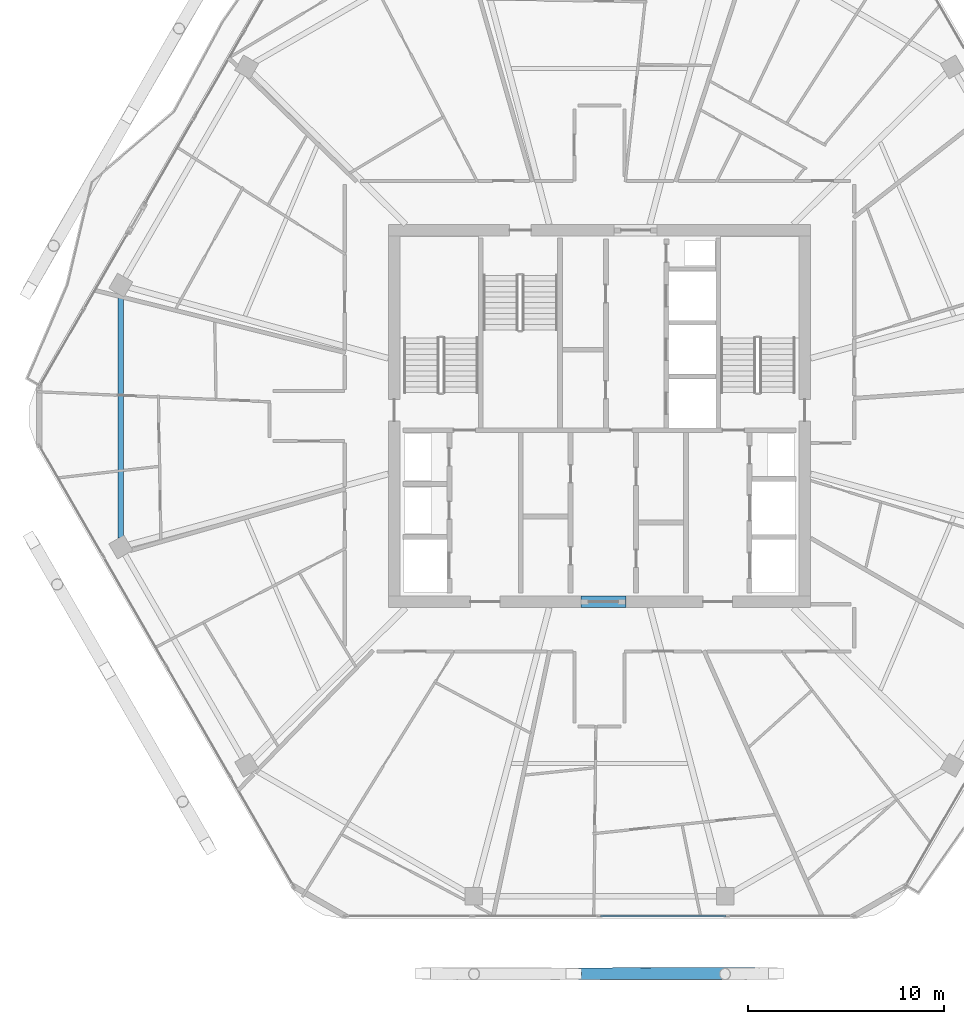
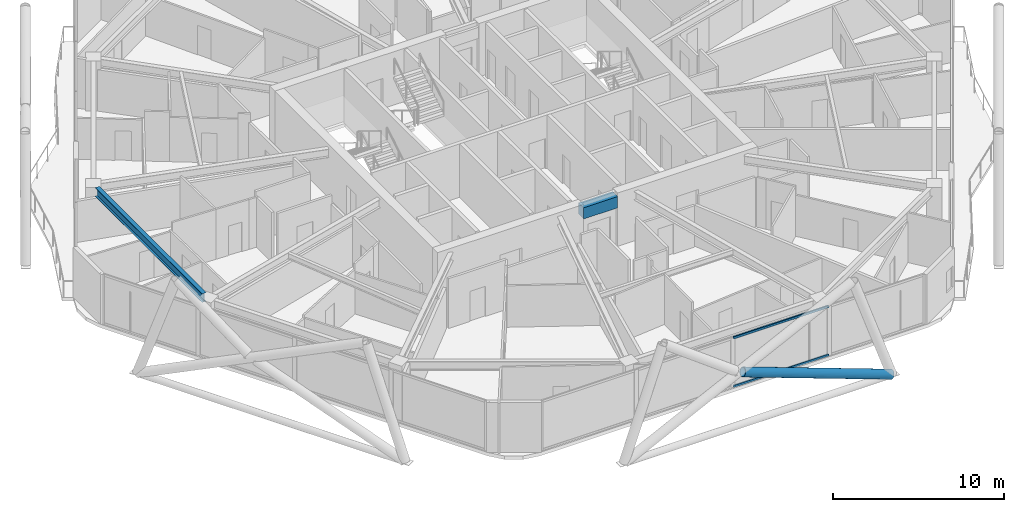
# One storey, part 7 of 29: 3 members, 2 beams, 1 element without a shape of its own.
"""IFC4 building model written with IfcOpenShell, lengths in metres."""

from ifc_helpers import new_model, si_unit, direction, frame, origin, origin_2d, place, context, subcontext, project, spatial, rectangle, hollow_rectangle, hollow_circle, i_section, extrude, material, material_profile, profile_set, type_object, element, aggregate, save


model = new_model("IFC4")

# Units and contexts
model_context = context("Model", 3, precision=1e-05, world=origin(), true_north=direction((0.0, 1.0)))
body_context = subcontext(model_context, "Body", "Model", "MODEL_VIEW")
ifc_project = project(units=[si_unit("LENGTHUNIT", "METRE"), si_unit("AREAUNIT", "SQUARE_METRE"), si_unit("VOLUMEUNIT", "CUBIC_METRE"), si_unit("PLANEANGLEUNIT", "RADIAN"), si_unit("MASSUNIT", "GRAM", prefix="KILO")], contexts=[model_context])

# Site, building, storey
site_placement = place(None, origin())
site = spatial("IfcSite", under=ifc_project, at=site_placement, CompositionType="ELEMENT")
building_placement = place(site_placement, origin())
building = spatial("IfcBuilding", under=site, at=building_placement, Name="Zuhravey Tower", CompositionType="ELEMENT")
storey_placement = place(building_placement, frame((0.0, 0.0, 246.39990234375)))
storey = spatial("IfcBuildingStorey", under=building, at=storey_placement, Name="L62", CompositionType="ELEMENT", Elevation=246.39990234375)

# Beam
ifc_material_1 = material(Name="Concrete C50/60", Category="concrete")
ifc_material_profile_1 = material_profile(ifc_material_1, rectangle(XDim=0.60009765625, YDim=0.800048828125, at=origin_2d()), Name="RC-600x800")
ifc_profile_set_1 = profile_set([ifc_material_profile_1], Name="Concrete C50/60")
beam_type_1 = type_object("IfcBeamType", Name="Core Coupling Beam RC600x800", PredefinedType="LINTEL", material=ifc_profile_set_1)
beam_1_placement = place(storey_placement, frame((35.052001953125, 22.5, 3.150146484375), z_axis=(1.0, 0.0, 0.0), x_axis=(0.0, 1.0, 0.0)))
element("IfcBeam", 1, at=beam_1_placement, inside=storey, type_object=beam_type_1, Name="L62 CB2 BM-L62-CB-S", PredefinedType="LINTEL", context=body_context, shape_type="SweptSolid", body=[
    extrude(rectangle(XDim=0.60009765625, YDim=0.800048828125, at=origin_2d()), origin(), (0.0, 0.0, 1.0), 2.2958984375),
])

# Curtain wall, members
ifc_material_2 = material(Name="Thermally broken anodised aluminium", Category="aluminium")
curtain_wall_type = type_object("IfcCurtainWallType", Name="Zone 3-4 High-Rise Curtain Wall CW4", PredefinedType="NOTDEFINED", material=ifc_material_2)
curtain_wall_placement = place(storey_placement, origin())
curtain_wall = element("IfcCurtainWall", 2, at=curtain_wall_placement, inside=storey, type_object=curtain_wall_type, Name="L62 CW4 CW-L62-F5-1", PredefinedType="NOTDEFINED")
ifc_material_3 = material(Name="Anodised aluminium", Category="aluminium")
ifc_material_profile_2 = material_profile(ifc_material_3, hollow_rectangle(XDim=0.090087890625, YDim=0.14990234375, WallThickness=0.0048828125, at=origin_2d()), Name="ALU-RHS-90x150x5")
ifc_profile_set_2 = profile_set([ifc_material_profile_2], Name="Anodised aluminium")
member_type_1 = type_object("IfcMemberType", Name="Curtain-Wall Transom 90x150", PredefinedType="USERDEFINED", material=ifc_profile_set_2)
member_1_placement = place(storey_placement, frame((42.46142578125, 6.436279296875, 0.045166015625), z_axis=(-1.0, 0.0, 0.0), x_axis=(0.0, -1.0, 0.0)))
member_1 = element("IfcMember", 3, at=member_1_placement, type_object=member_type_1, Name="CW4 transom 2.1", ObjectType="TRANSOM", PredefinedType="USERDEFINED", context=body_context, shape_type="SweptSolid", body=[
    extrude(hollow_rectangle(XDim=0.090087890625, YDim=0.14990234375, WallThickness=0.0048828125, at=origin_2d()), origin(), (0.0, 0.0, 1.0), 6.41650390625),
])
member_2_placement = place(storey_placement, frame((42.46142578125, 6.436279296875, 3.505126953125), z_axis=(-1.0, 0.0, 0.0), x_axis=(0.0, -1.0, 0.0)))
member_2 = element("IfcMember", 4, at=member_2_placement, type_object=member_type_1, Name="CW4 transom 2.2", ObjectType="TRANSOM", PredefinedType="USERDEFINED", context=body_context, shape_type="SweptSolid", body=[
    extrude(hollow_rectangle(XDim=0.090087890625, YDim=0.14990234375, WallThickness=0.0048828125, at=origin_2d()), origin(), (0.0, 0.0, 1.0), 6.41650390625),
])
aggregate(curtain_wall, [member_1, member_2])

# Member
ifc_material_4 = material(Name="Steel SM355", Category="steel")
ifc_material_profile_3 = material_profile(ifc_material_4, hollow_circle(Radius=0.3046875, WallThickness=0.028076171875, at=origin_2d()), Name="CHS-609.6x28")
ifc_profile_set_3 = profile_set([ifc_material_profile_3], Name="Steel SM355")
member_type_2 = type_object("IfcMemberType", Name="Exoskeleton Zone 3 Diagrid CHS610x28", PredefinedType="BRACE", material=ifc_profile_set_3)
member_3_placement = place(storey_placement, frame((44.99072265625, 3.496337890625, -0.449951171875), z_axis=(-0.938611635194, -0.001371570826, 0.344972922229), x_axis=(0.001461274621, -0.999998932338, 0.0)))
element("IfcMember", 5, at=member_3_placement, inside=storey, type_object=member_type_2, Name="L62 Face 5 Split Diagrid Brace 3A", PredefinedType="BRACE", context=body_context, shape_type="SweptSolid", body=[
    extrude(hollow_circle(Radius=0.3046875, WallThickness=0.028076171875, at=origin_2d()), origin(), (0.0, 0.0, 1.0), 10.679931640625),
])

# Beam
ifc_material_profile_4 = material_profile(ifc_material_4, i_section(OverallWidth=0.280029296875, OverallDepth=0.6201171875, WebThickness=0.011962890625, FlangeThickness=0.02001953125, at=origin_2d()), Name="H-620x280x12x20")
ifc_profile_set_4 = profile_set([ifc_material_profile_4], Name="Steel SM355")
beam_type_2 = type_object("IfcBeamType", Name="Perimeter Ring Beam H620x280", PredefinedType="BEAM", material=ifc_profile_set_4)
beam_2_placement = place(storey_placement, frame((11.515380859375, 38.245849609375, 3.239990234375), z_axis=(0.0, -1.0, 0.0), x_axis=(1.0, 0.0, 0.0)))
element("IfcBeam", 6, at=beam_2_placement, inside=storey, type_object=beam_type_2, Name="L62 PB3 BM-L62-PB-06", PredefinedType="BEAM", context=body_context, shape_type="SweptSolid", body=[
    extrude(i_section(OverallWidth=0.280029296875, OverallDepth=0.6201171875, WebThickness=0.011962890625, FlangeThickness=0.02001953125, at=origin_2d()), origin(), (0.0, 0.0, 1.0), 12.49169921875),
])

save(model, "model.ifc")
